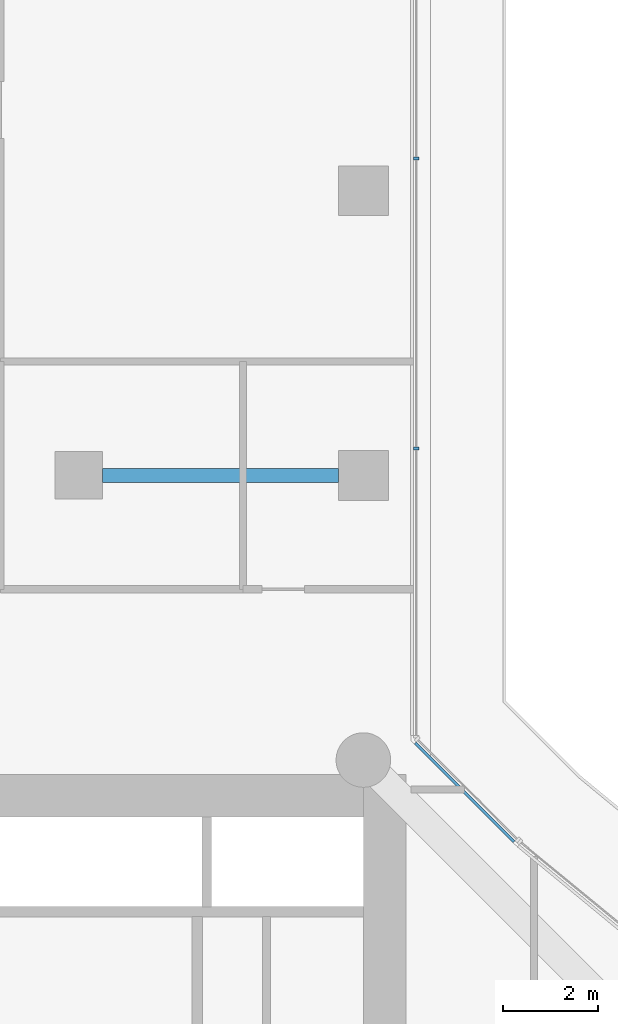
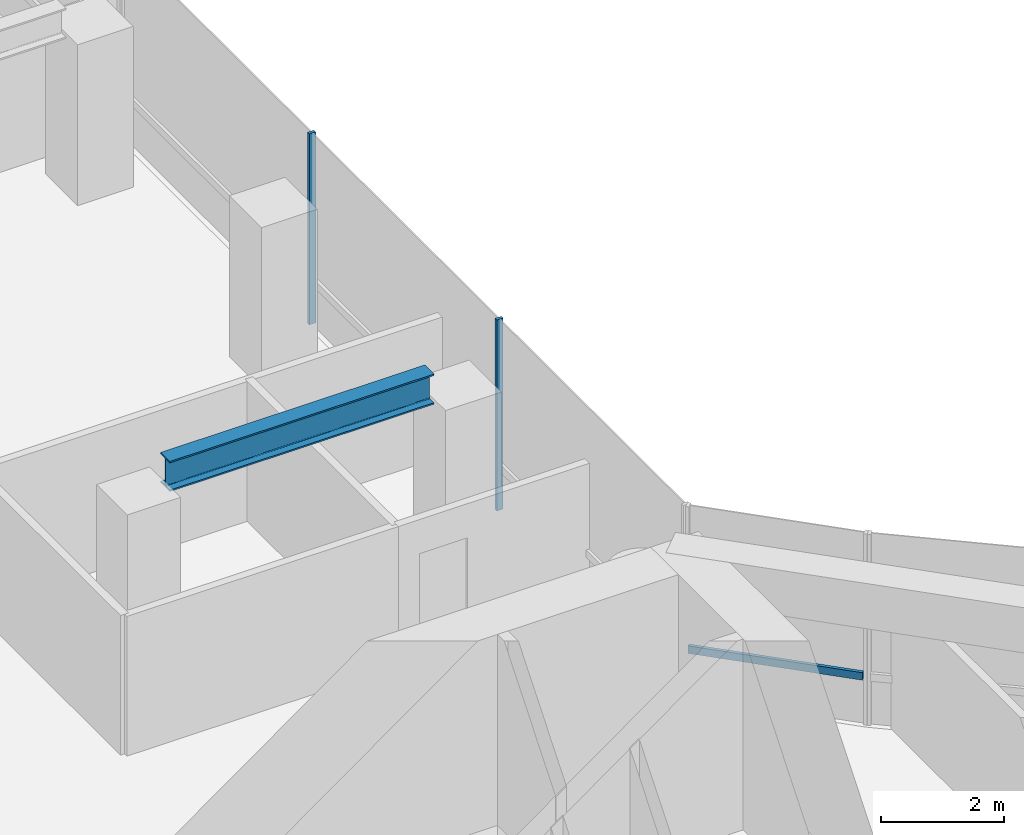
# One storey, part 12 of 30: 3 members, 1 beam, 2 elements without a shape of their own.
"""IFC4 building model written with IfcOpenShell, lengths in metres."""

from ifc_helpers import new_model, si_unit, direction, frame, origin, origin_2d, place, context, subcontext, project, spatial, rectangle, i_section, extrude, material, layer, layer_set, material_profile, profile_set, type_object, element, aggregate, save


model = new_model("IFC4")

# Units and contexts
model_context = context("Model", 3, precision=1e-05, world=origin(), true_north=direction((0.0, 1.0)))
body_context = subcontext(model_context, "Body", "Model", "MODEL_VIEW")
ifc_project = project(units=[si_unit("LENGTHUNIT", "METRE"), si_unit("AREAUNIT", "SQUARE_METRE"), si_unit("VOLUMEUNIT", "CUBIC_METRE"), si_unit("PLANEANGLEUNIT", "RADIAN"), si_unit("MASSUNIT", "GRAM", prefix="KILO")], contexts=[model_context])

# Site, building, storey
site_placement = place(None, origin())
site = spatial("IfcSite", under=ifc_project, at=site_placement, CompositionType="ELEMENT")
building_placement = place(site_placement, origin())
building = spatial("IfcBuilding", under=site, at=building_placement, Name="Welwitschia Terrace Campus", CompositionType="ELEMENT")
storey_placement = place(building_placement, frame((0.0, 0.0, 75.199951171875)))
storey = spatial("IfcBuildingStorey", under=building, at=storey_placement, Name="L17", CompositionType="ELEMENT", Elevation=75.199951171875)

# Curtain wall, members
ifc_material_1 = material(Name="Bronze anodised aluminium", Category="aluminium")
ifc_layer = layer(ifc_material_1, 0.1201171875)
ifc_layer_set = layer_set([ifc_layer], Name="Bronze anodised aluminium")
curtain_wall_type = type_object("IfcCurtainWallType", Name="Curtain wall CW2 tower 6000", PredefinedType="NOTDEFINED", material=ifc_layer_set)
curtain_wall_1_placement = place(storey_placement, origin())
curtain_wall_1 = element("IfcCurtainWall", 1, at=curtain_wall_1_placement, inside=storey, type_object=curtain_wall_type, Name="CW L17.12.0", PredefinedType="NOTDEFINED")
ifc_material_2 = material(Name="Bronze anodised aluminium", Category="aluminium")
ifc_material_profile_1 = material_profile(ifc_material_2, rectangle(XDim=0.1201171875, YDim=0.06005859375, at=origin_2d()))
ifc_profile_set_1 = profile_set([ifc_material_profile_1], Name="Bronze anodised aluminium")
member_type_1 = type_object("IfcMemberType", Name="Mullion 60x120", PredefinedType="MULLION", material=ifc_profile_set_1)
member_1_placement = place(storey_placement, frame((25.114013671875, 32.5703125, 0.0), z_axis=(0.0, 0.0, 1.0), x_axis=(-1.0, 0.0, 0.0)))
member_1 = element("IfcMember", 2, at=member_1_placement, type_object=member_type_1, Name="Mullion L17.12.0.1", PredefinedType="MULLION", context=body_context, shape_type="SweptSolid", body=[
    extrude(rectangle(XDim=0.1201171875, YDim=0.06005859375, at=origin_2d()), origin(), (0.0, 0.0, 1.0), 3.800048828125),
])
member_2_placement = place(storey_placement, frame((25.114013671875, 38.678955078125, 0.0), z_axis=(0.0, 0.0, 1.0), x_axis=(-1.0, 0.0, 0.0)))
member_2 = element("IfcMember", 3, at=member_2_placement, type_object=member_type_1, Name="Mullion L17.12.0.2", PredefinedType="MULLION", context=body_context, shape_type="SweptSolid", body=[
    extrude(rectangle(XDim=0.1201171875, YDim=0.06005859375, at=origin_2d()), origin(), (0.0, 0.0, 1.0), 3.800048828125),
])
aggregate(curtain_wall_1, [member_1, member_2])

# Beam
ifc_material_3 = material(Name="Steel S355", Category="steel")
ifc_material_profile_2 = material_profile(ifc_material_3, i_section(OverallWidth=0.300048828125, OverallDepth=0.60009765625, WebThickness=0.015380859375, FlangeThickness=0.030029296875, FilletRadius=0.027099609375, at=origin_2d()))
ifc_profile_set_2 = profile_set([ifc_material_profile_2], Name="Steel S355")
beam_type = type_object("IfcBeamType", Name="Primary beam HE 600 B", PredefinedType="BEAM", material=ifc_profile_set_2)
beam_placement = place(storey_placement, frame((23.474609375, 32.0, 3.400146484375), z_axis=(-1.0, 0.0, 0.0), x_axis=(0.0, -1.0, 0.0)))
element("IfcBeam", 4, at=beam_placement, inside=storey, type_object=beam_type, Name="Primary beam PB2", PredefinedType="BEAM", context=body_context, shape_type="SweptSolid", body=[
    extrude(i_section(OverallWidth=0.300048828125, OverallDepth=0.60009765625, WebThickness=0.015380859375, FlangeThickness=0.030029296875, FilletRadius=0.027099609375, at=origin_2d()), origin(), (0.0, 0.0, 1.0), 4.97412109375),
])

# Curtain wall, member
curtain_wall_2_placement = place(storey_placement, origin())
curtain_wall_2 = element("IfcCurtainWall", 5, at=curtain_wall_2_placement, inside=storey, type_object=curtain_wall_type, Name="CW L17.11.0", PredefinedType="NOTDEFINED")
ifc_material_4 = material(Name="Bronze anodised aluminium", Category="aluminium")
ifc_material_profile_3 = material_profile(ifc_material_4, rectangle(XDim=0.06005859375, YDim=0.14990234375, at=origin_2d()))
ifc_profile_set_3 = profile_set([ifc_material_profile_3], Name="Bronze anodised aluminium")
member_type_2 = type_object("IfcMemberType", Name="Transom 60x150", PredefinedType="USERDEFINED", material=ifc_profile_set_3)
member_3_placement = place(storey_placement, frame((27.1728515625, 24.275390625, 1.0), z_axis=(-0.707106781187, 0.707106781187, 0.0), x_axis=(-0.707106781187, -0.707106781187, 0.0)))
member_3 = element("IfcMember", 6, at=member_3_placement, type_object=member_type_2, Name="Transom L17.11.0", ObjectType="TRANSOM", PredefinedType="USERDEFINED", context=body_context, shape_type="SweptSolid", body=[
    extrude(rectangle(XDim=0.06005859375, YDim=0.14990234375, at=origin_2d()), origin(), (0.0, 0.0, 1.0), 2.941650390625),
])
aggregate(curtain_wall_2, [member_3])

save(model, "model.ifc")
